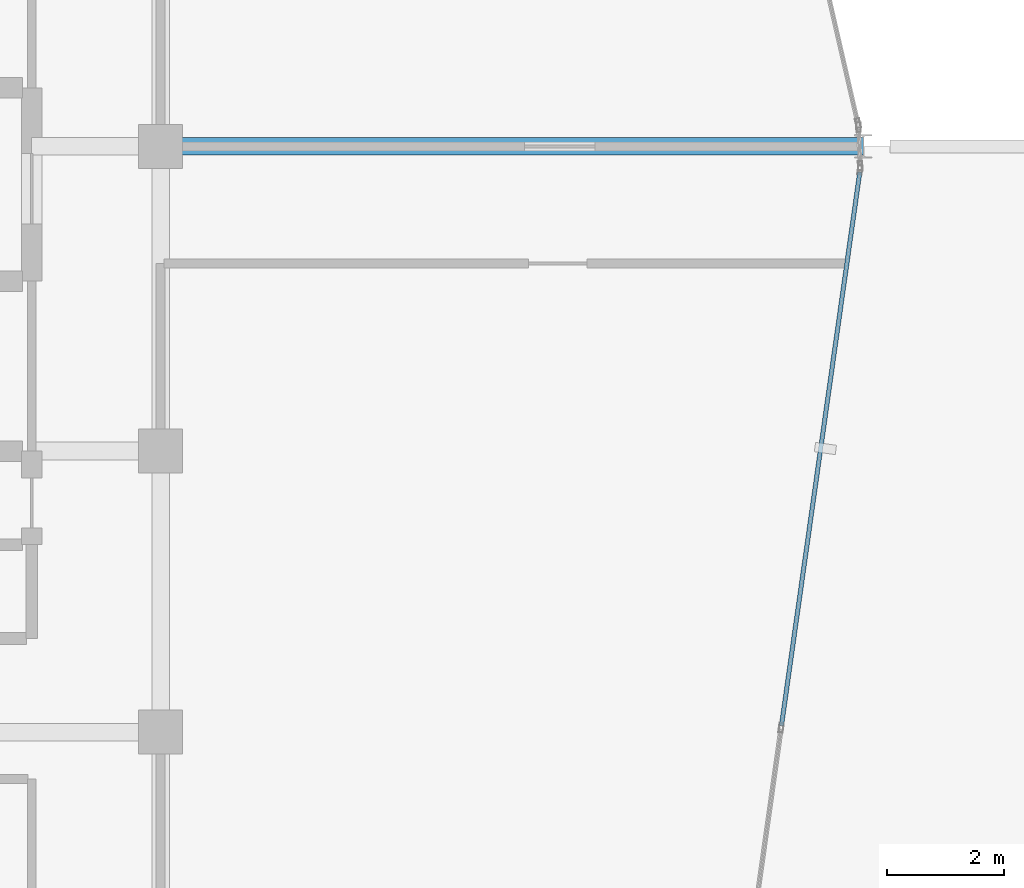
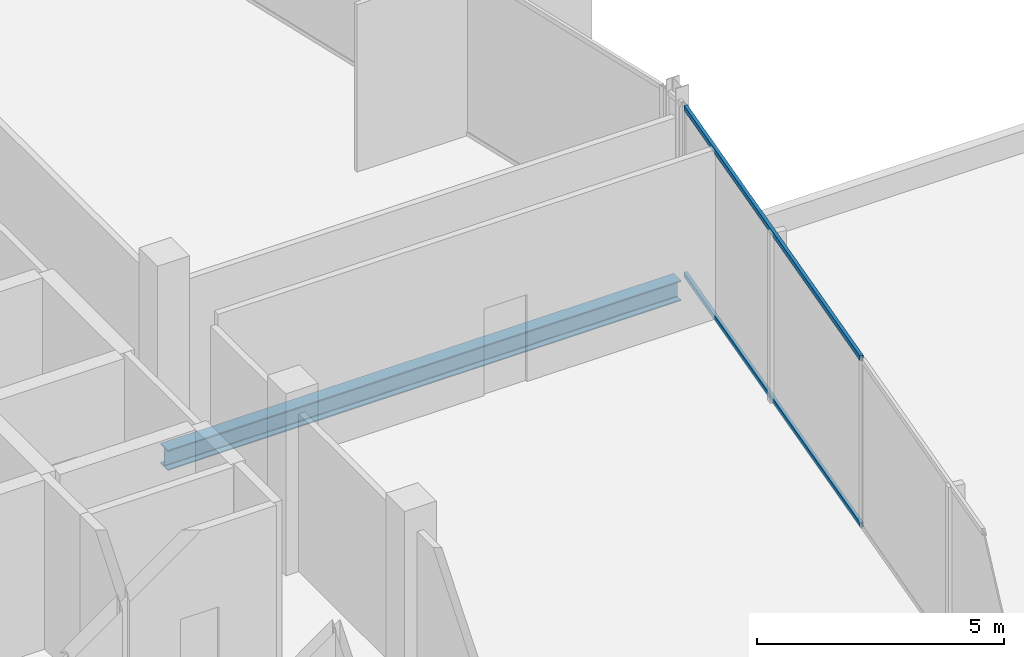
# One storey, part 10 of 24: 2 members, 1 beam, 1 element without a shape of its own.
"""IFC4 building model written with IfcOpenShell, lengths in metres."""

from ifc_helpers import new_model, si_unit, direction, frame, origin, origin_2d, place, context, subcontext, project, spatial, hollow_rectangle, i_section, extrude, material, layer, layer_set, material_profile, profile_set, type_object, element, aggregate, save


model = new_model("IFC4")

# Units and contexts
model_context = context("Model", 3, precision=1e-05, world=origin(), true_north=direction((0.0, 1.0)))
body_context = subcontext(model_context, "Body", "Model", "MODEL_VIEW")
ifc_project = project(units=[si_unit("LENGTHUNIT", "METRE"), si_unit("AREAUNIT", "SQUARE_METRE"), si_unit("VOLUMEUNIT", "CUBIC_METRE"), si_unit("PLANEANGLEUNIT", "RADIAN"), si_unit("MASSUNIT", "GRAM", prefix="KILO")], contexts=[model_context])

# Site, building, storey
site_placement = place(None, origin())
site = spatial("IfcSite", under=ifc_project, at=site_placement, CompositionType="ELEMENT")
building_placement = place(site_placement, origin())
building = spatial("IfcBuilding", under=site, at=building_placement, Name="Keshet Zoharim Tower", CompositionType="ELEMENT")
storey_placement = place(building_placement, frame((0.0, 0.0, 242.800048828125)))
storey = spatial("IfcBuildingStorey", under=building, at=storey_placement, Name="L60", CompositionType="ELEMENT", Elevation=242.800048828125)

# Beam
ifc_material_1 = material(Name="Steel S355", Category="steel")
ifc_material_profile_1 = material_profile(ifc_material_1, i_section(OverallWidth=0.300048828125, OverallDepth=0.5, WebThickness=0.014404296875, FlangeThickness=0.028076171875, FilletRadius=0.027099609375, at=origin_2d()), Name="HEB500")
ifc_profile_set_1 = profile_set([ifc_material_profile_1], Name="Steel S355")
beam_type = type_object("IfcBeamType", Name="BM-MED-HB500", PredefinedType="BEAM", material=ifc_profile_set_1)
beam_placement = place(storey_placement, frame((33.0, 27.89990234375, -0.570068359375), z_axis=(1.0, 0.0, 0.0), x_axis=(0.0, 1.0, 0.0)))
element("IfcBeam", 1, at=beam_placement, inside=storey, type_object=beam_type, Name="L60 Primary Girder X-007", PredefinedType="BEAM", context=body_context, shape_type="SweptSolid", body=[
    extrude(i_section(OverallWidth=0.300048828125, OverallDepth=0.5, WebThickness=0.014404296875, FlangeThickness=0.028076171875, FilletRadius=0.027099609375, at=origin_2d()), origin(), (0.0, 0.0, 1.0), 12.0),
])

# Curtain wall, members
ifc_material_2 = material(Name="Aluminium 6063-T6", Category="aluminium")
ifc_layer = layer(ifc_material_2, 0.260009765625)
ifc_layer_set = layer_set([ifc_layer], Name="Aluminium 6063-T6")
curtain_wall_type = type_object("IfcCurtainWallType", Name="CW-SYS-06", PredefinedType="NOTDEFINED", material=ifc_layer_set)
curtain_wall_placement = place(storey_placement, origin())
curtain_wall = element("IfcCurtainWall", 2, at=curtain_wall_placement, inside=storey, type_object=curtain_wall_type, Name="L60 Unitised Curtain Wall 11", PredefinedType="NOTDEFINED")
ifc_material_profile_2 = material_profile(ifc_material_2, hollow_rectangle(XDim=0.074951171875, YDim=0.1201171875, WallThickness=0.00390625, at=origin_2d()), Name="TRN-75x120")
ifc_profile_set_2 = profile_set([ifc_material_profile_2], Name="Aluminium 6063-T6")
member_type = type_object("IfcMemberType", Name="CWT-T12", PredefinedType="USERDEFINED", material=ifc_profile_set_2)
member_1_placement = place(storey_placement, frame((44.938232421875, 27.462646484375, 0.034912109375), z_axis=(-0.140150169695, -0.990130259074, 0.0), x_axis=(0.990130259074, -0.140150169695, 0.0)))
member_1 = element("IfcMember", 3, at=member_1_placement, type_object=member_type, Name="CW-06 transom 1.1", ObjectType="TRANSOM", PredefinedType="USERDEFINED", context=body_context, shape_type="SweptSolid", body=[
    extrude(hollow_rectangle(XDim=0.074951171875, YDim=0.1201171875, WallThickness=0.00390625, at=origin_2d()), origin(), (0.0, 0.0, 1.0), 9.546142578125),
])
member_2_placement = place(storey_placement, frame((44.938232421875, 27.462646484375, 4.155029296875), z_axis=(-0.140150169695, -0.990130259074, 0.0), x_axis=(0.990130259074, -0.140150169695, 0.0)))
member_2 = element("IfcMember", 4, at=member_2_placement, type_object=member_type, Name="CW-06 transom 1.2", ObjectType="TRANSOM", PredefinedType="USERDEFINED", context=body_context, shape_type="SweptSolid", body=[
    extrude(hollow_rectangle(XDim=0.074951171875, YDim=0.1201171875, WallThickness=0.00390625, at=origin_2d()), origin(), (0.0, 0.0, 1.0), 9.546142578125),
])
aggregate(curtain_wall, [member_1, member_2])

save(model, "model.ifc")
